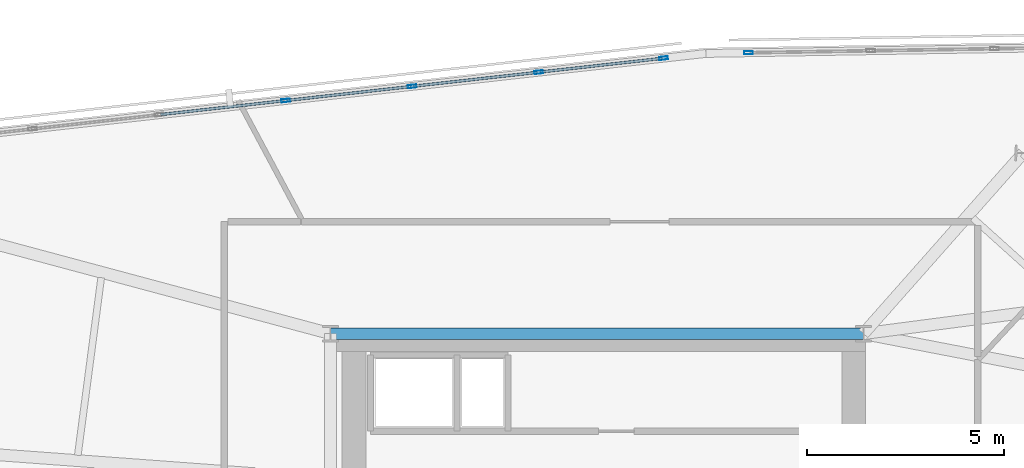
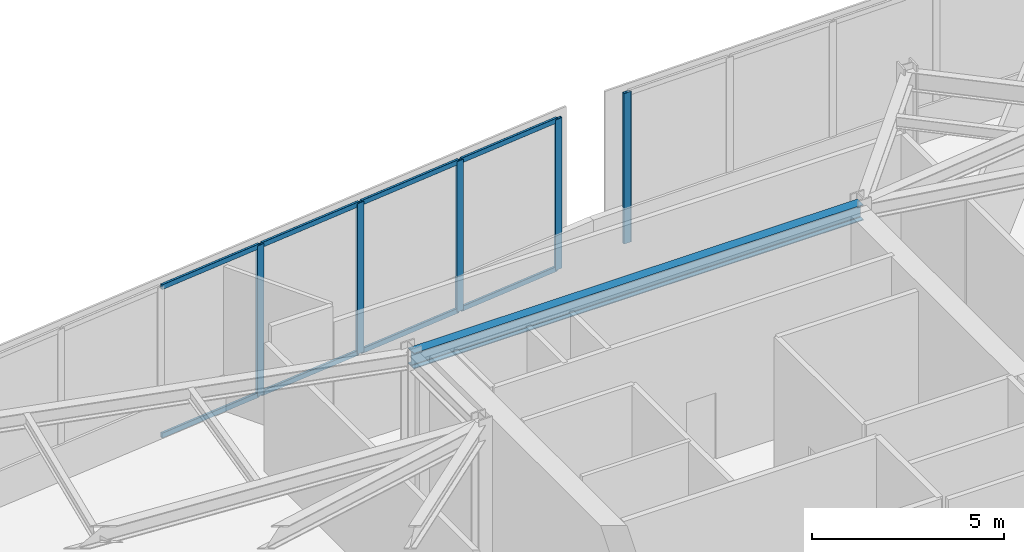
# One storey, part 4 of 12: 13 members, 1 beam, 2 elements without a shape of their own.
"""IFC4 building model written with IfcOpenShell, lengths in metres."""

from ifc_helpers import new_model, si_unit, direction, frame, origin, origin_2d, place, context, subcontext, project, spatial, hollow_rectangle, i_section, extrude, material, material_profile, profile_set, type_object, element, aggregate, save


model = new_model("IFC4")

# Units and contexts
model_context = context("Model", 3, precision=1e-05, world=origin(), true_north=direction((0.0, 1.0)))
body_context = subcontext(model_context, "Body", "Model", "MODEL_VIEW")
ifc_project = project(units=[si_unit("LENGTHUNIT", "METRE"), si_unit("AREAUNIT", "SQUARE_METRE"), si_unit("VOLUMEUNIT", "CUBIC_METRE"), si_unit("PLANEANGLEUNIT", "RADIAN"), si_unit("MASSUNIT", "GRAM", prefix="KILO")], contexts=[model_context])

# Site, building, storey
site_placement = place(None, origin())
site = spatial("IfcSite", under=ifc_project, at=site_placement, CompositionType="ELEMENT")
building_placement = place(site_placement, origin())
building = spatial("IfcBuilding", under=site, at=building_placement, Name="Narakoshi Arena Tower", CompositionType="ELEMENT")
storey_placement = place(building_placement, frame((0.0, 0.0, 298.179931640625)))
storey = spatial("IfcBuildingStorey", under=building, at=storey_placement, Name="L81", CompositionType="ELEMENT", Elevation=298.179931640625)

# Beam
ifc_material_1 = material(Name="Structural steel S355J2", Category="steel")
ifc_material_profile_1 = material_profile(ifc_material_1, i_section(OverallWidth=0.300048828125, OverallDepth=0.5, WebThickness=0.014404296875, FlangeThickness=0.028076171875, FilletRadius=0.027099609375, at=origin_2d()), Name="HE500B")
ifc_profile_set_1 = profile_set([ifc_material_profile_1], Name="Structural steel S355J2")
beam_type = type_object("IfcBeamType", Name="BM-PRI-500", PredefinedType="BEAM", material=ifc_profile_set_1)
beam_placement = place(storey_placement, frame((72.0, 56.5, 4.35009765625), z_axis=(1.0, 0.0, 0.0), x_axis=(0.0, 1.0, 0.0)))
element("IfcBeam", 1, at=beam_placement, inside=storey, type_object=beam_type, Name="L81 Core Perimeter Frame Beam CC5-CC6", PredefinedType="BEAM", context=body_context, shape_type="SweptSolid", body=[
    extrude(i_section(OverallWidth=0.300048828125, OverallDepth=0.5, WebThickness=0.014404296875, FlangeThickness=0.028076171875, FilletRadius=0.027099609375, at=origin_2d()), origin(), (0.0, 0.0, 1.0), 13.550048828125),
])

# Curtain wall, members
ifc_material_2 = material(Name="Anodised bronze aluminium 6063-T6", Category="aluminium")
curtain_wall_type = type_object("IfcCurtainWallType", Name="CW-CRN-FACET", PredefinedType="NOTDEFINED", material=ifc_material_2)
curtain_wall_1_placement = place(storey_placement, origin())
curtain_wall_1 = element("IfcCurtainWall", 2, at=curtain_wall_1_placement, inside=storey, type_object=curtain_wall_type, Name="L81 Slanted-Cut Crown Curtain Wall 5-2", PredefinedType="NOTDEFINED")
ifc_material_profile_2 = material_profile(ifc_material_2, hollow_rectangle(XDim=0.080078125, YDim=0.219970703125, WallThickness=0.0048828125, OuterFilletRadius=0.006103515625, at=origin_2d()), Name="MUL220x80x5")
ifc_profile_set_2 = profile_set([ifc_material_profile_2], Name="Anodised bronze aluminium 6063-T6")
member_type_1 = type_object("IfcMemberType", Name="MEM-MUL-220", PredefinedType="MULLION", material=ifc_profile_set_2)
member_1_placement = place(storey_placement, frame((70.86376953125, 62.42529296875, 0.0), z_axis=(0.0, 0.0, 1.0), x_axis=(-0.11139525537, 0.993776180576, 0.0)))
member_1 = element("IfcMember", 3, at=member_1_placement, type_object=member_type_1, Name="CW-06 mullion 5", PredefinedType="MULLION", context=body_context, shape_type="SweptSolid", body=[
    extrude(hollow_rectangle(XDim=0.080078125, YDim=0.219970703125, WallThickness=0.0048828125, OuterFilletRadius=0.006103515625, at=origin_2d()), origin(), (0.0, 0.0, 1.0), 4.800048828125),
])
member_2_placement = place(storey_placement, frame((74.07958984375, 62.785888671875, 0.0), z_axis=(0.0, 0.0, 1.0), x_axis=(-0.11139525537, 0.993776180576, 0.0)))
member_2 = element("IfcMember", 4, at=member_2_placement, type_object=member_type_1, Name="CW-06 mullion 6", PredefinedType="MULLION", context=body_context, shape_type="SweptSolid", body=[
    extrude(hollow_rectangle(XDim=0.080078125, YDim=0.219970703125, WallThickness=0.0048828125, OuterFilletRadius=0.006103515625, at=origin_2d()), origin(), (0.0, 0.0, 1.0), 4.800048828125),
])
member_3_placement = place(storey_placement, frame((77.295166015625, 63.146240234375, 0.0), z_axis=(0.0, 0.0, 1.0), x_axis=(-0.11139525537, 0.993776180576, 0.0)))
member_3 = element("IfcMember", 5, at=member_3_placement, type_object=member_type_1, Name="CW-06 mullion 7", PredefinedType="MULLION", context=body_context, shape_type="SweptSolid", body=[
    extrude(hollow_rectangle(XDim=0.080078125, YDim=0.219970703125, WallThickness=0.0048828125, OuterFilletRadius=0.006103515625, at=origin_2d()), origin(), (0.0, 0.0, 1.0), 4.800048828125),
])
member_4_placement = place(storey_placement, frame((80.47119140625, 63.502197265625, 0.0), z_axis=(0.0, 0.0, 1.0), x_axis=(-0.11139525537, 0.993776180576, 0.0)))
member_4 = element("IfcMember", 6, at=member_4_placement, type_object=member_type_1, Name="CW-06 mullion 8", PredefinedType="MULLION", context=body_context, shape_type="SweptSolid", body=[
    extrude(hollow_rectangle(XDim=0.080078125, YDim=0.219970703125, WallThickness=0.0048828125, OuterFilletRadius=0.006103515625, at=origin_2d()), origin(), (0.0, 0.0, 1.0), 4.800048828125),
])

# Curtain wall, member
curtain_wall_2_placement = place(storey_placement, origin())
curtain_wall_2 = element("IfcCurtainWall", 7, at=curtain_wall_2_placement, inside=storey, type_object=curtain_wall_type, Name="L81 Slanted-Cut Crown Curtain Wall 6-1", PredefinedType="NOTDEFINED")
member_5_placement = place(storey_placement, frame((82.631103515625, 63.640869140625, 0.0), z_axis=(0.0, 0.0, 1.0), x_axis=(-0.016446618882, 0.999864745217, 0.0)))
member_5 = element("IfcMember", 8, at=member_5_placement, type_object=member_type_1, Name="CW-06 mullion 1", PredefinedType="MULLION", context=body_context, shape_type="SweptSolid", body=[
    extrude(hollow_rectangle(XDim=0.080078125, YDim=0.219970703125, WallThickness=0.0048828125, OuterFilletRadius=0.006103515625, at=origin_2d()), origin(), (0.0, 0.0, 1.0), 4.800048828125),
])
aggregate(curtain_wall_2, [member_5])

# Member
ifc_material_profile_3 = material_profile(ifc_material_2, hollow_rectangle(XDim=0.070068359375, YDim=0.159912109375, WallThickness=0.00390625, OuterFilletRadius=0.0048828125, at=origin_2d()), Name="TRN160x70x4")
ifc_profile_set_3 = profile_set([ifc_material_profile_3], Name="Anodised bronze aluminium 6063-T6")
member_type_2 = type_object("IfcMemberType", Name="MEM-TRN-160", PredefinedType="USERDEFINED", material=ifc_profile_set_3)
member_6_placement = place(storey_placement, frame((67.687744140625, 62.0693359375, 0.03515625), z_axis=(0.993775713066, 0.111399426033, 0.0), x_axis=(-0.111399426033, 0.993775713066, 0.0)))
member_6 = element("IfcMember", 9, at=member_6_placement, type_object=member_type_2, Name="CW-06 transom 4.1", ObjectType="TRANSOM", PredefinedType="USERDEFINED", context=body_context, shape_type="SweptSolid", body=[
    extrude(hollow_rectangle(XDim=0.070068359375, YDim=0.159912109375, WallThickness=0.00390625, OuterFilletRadius=0.0048828125, at=origin_2d()), origin(), (0.0, 0.0, 1.0), 3.15576171875),
])

member_7_placement = place(storey_placement, frame((67.687744140625, 62.0693359375, 4.76513671875), z_axis=(0.993775713066, 0.111399426033, 0.0), x_axis=(-0.111399426033, 0.993775713066, 0.0)))
member_7 = element("IfcMember", 10, at=member_7_placement, type_object=member_type_2, Name="CW-06 transom 4.2", ObjectType="TRANSOM", PredefinedType="USERDEFINED", context=body_context, shape_type="SweptSolid", body=[
    extrude(hollow_rectangle(XDim=0.070068359375, YDim=0.159912109375, WallThickness=0.00390625, OuterFilletRadius=0.0048828125, at=origin_2d()), origin(), (0.0, 0.0, 1.0), 3.15576171875),
])

member_8_placement = place(storey_placement, frame((70.903564453125, 62.4296875, 0.03515625), z_axis=(0.993775713066, 0.111399426033, 0.0), x_axis=(-0.111399426033, 0.993775713066, 0.0)))
member_8 = element("IfcMember", 11, at=member_8_placement, type_object=member_type_2, Name="CW-06 transom 5.1", ObjectType="TRANSOM", PredefinedType="USERDEFINED", context=body_context, shape_type="SweptSolid", body=[
    extrude(hollow_rectangle(XDim=0.070068359375, YDim=0.159912109375, WallThickness=0.00390625, OuterFilletRadius=0.0048828125, at=origin_2d()), origin(), (0.0, 0.0, 1.0), 3.15576171875),
])

member_9_placement = place(storey_placement, frame((70.903564453125, 62.4296875, 4.76513671875), z_axis=(0.993775713066, 0.111399426033, 0.0), x_axis=(-0.111399426033, 0.993775713066, 0.0)))
member_9 = element("IfcMember", 12, at=member_9_placement, type_object=member_type_2, Name="CW-06 transom 5.2", ObjectType="TRANSOM", PredefinedType="USERDEFINED", context=body_context, shape_type="SweptSolid", body=[
    extrude(hollow_rectangle(XDim=0.070068359375, YDim=0.159912109375, WallThickness=0.00390625, OuterFilletRadius=0.0048828125, at=origin_2d()), origin(), (0.0, 0.0, 1.0), 3.15576171875),
])

member_10_placement = place(storey_placement, frame((74.119140625, 62.790283203125, 0.03515625), z_axis=(0.993775713066, 0.111399426033, 0.0), x_axis=(-0.111399426033, 0.993775713066, 0.0)))
member_10 = element("IfcMember", 13, at=member_10_placement, type_object=member_type_2, Name="CW-06 transom 6.1", ObjectType="TRANSOM", PredefinedType="USERDEFINED", context=body_context, shape_type="SweptSolid", body=[
    extrude(hollow_rectangle(XDim=0.070068359375, YDim=0.159912109375, WallThickness=0.00390625, OuterFilletRadius=0.0048828125, at=origin_2d()), origin(), (0.0, 0.0, 1.0), 3.15576171875),
])

member_11_placement = place(storey_placement, frame((74.119140625, 62.790283203125, 4.76513671875), z_axis=(0.993775713066, 0.111399426033, 0.0), x_axis=(-0.111399426033, 0.993775713066, 0.0)))
member_11 = element("IfcMember", 14, at=member_11_placement, type_object=member_type_2, Name="CW-06 transom 6.2", ObjectType="TRANSOM", PredefinedType="USERDEFINED", context=body_context, shape_type="SweptSolid", body=[
    extrude(hollow_rectangle(XDim=0.070068359375, YDim=0.159912109375, WallThickness=0.00390625, OuterFilletRadius=0.0048828125, at=origin_2d()), origin(), (0.0, 0.0, 1.0), 3.15576171875),
])

member_12_placement = place(storey_placement, frame((77.3349609375, 63.150634765625, 0.03515625), z_axis=(0.993773354848, 0.111420461294, 0.0), x_axis=(-0.111420461294, 0.993773354848, 0.0)))
member_12 = element("IfcMember", 15, at=member_12_placement, type_object=member_type_2, Name="CW-06 transom 7.1", ObjectType="TRANSOM", PredefinedType="USERDEFINED", context=body_context, shape_type="SweptSolid", body=[
    extrude(hollow_rectangle(XDim=0.070068359375, YDim=0.159912109375, WallThickness=0.00390625, OuterFilletRadius=0.0048828125, at=origin_2d()), origin(), (0.0, 0.0, 1.0), 3.11572265625),
])

member_13_placement = place(storey_placement, frame((77.3349609375, 63.150634765625, 4.76513671875), z_axis=(0.993773354848, 0.111420461294, 0.0), x_axis=(-0.111420461294, 0.993773354848, 0.0)))
member_13 = element("IfcMember", 16, at=member_13_placement, type_object=member_type_2, Name="CW-06 transom 7.2", ObjectType="TRANSOM", PredefinedType="USERDEFINED", context=body_context, shape_type="SweptSolid", body=[
    extrude(hollow_rectangle(XDim=0.070068359375, YDim=0.159912109375, WallThickness=0.00390625, OuterFilletRadius=0.0048828125, at=origin_2d()), origin(), (0.0, 0.0, 1.0), 3.11572265625),
])

aggregate(curtain_wall_1, [member_1, member_2, member_3, member_4, member_6, member_7, member_8, member_9, member_10, member_11, member_12, member_13])

save(model, "model.ifc")
